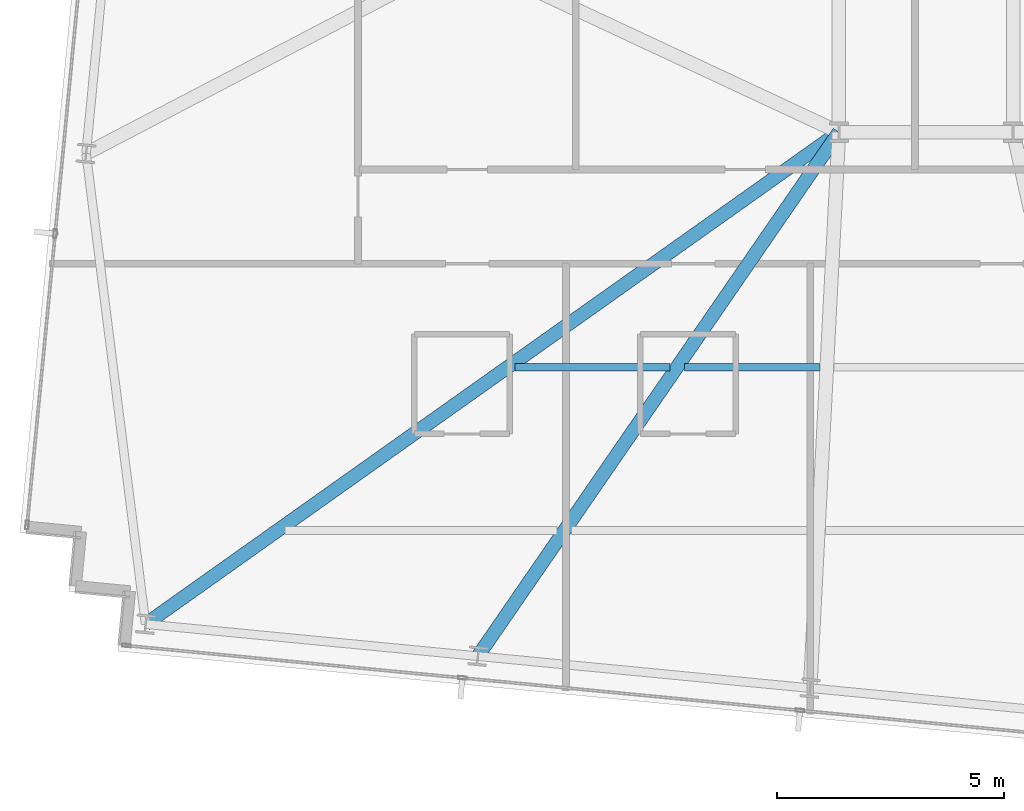
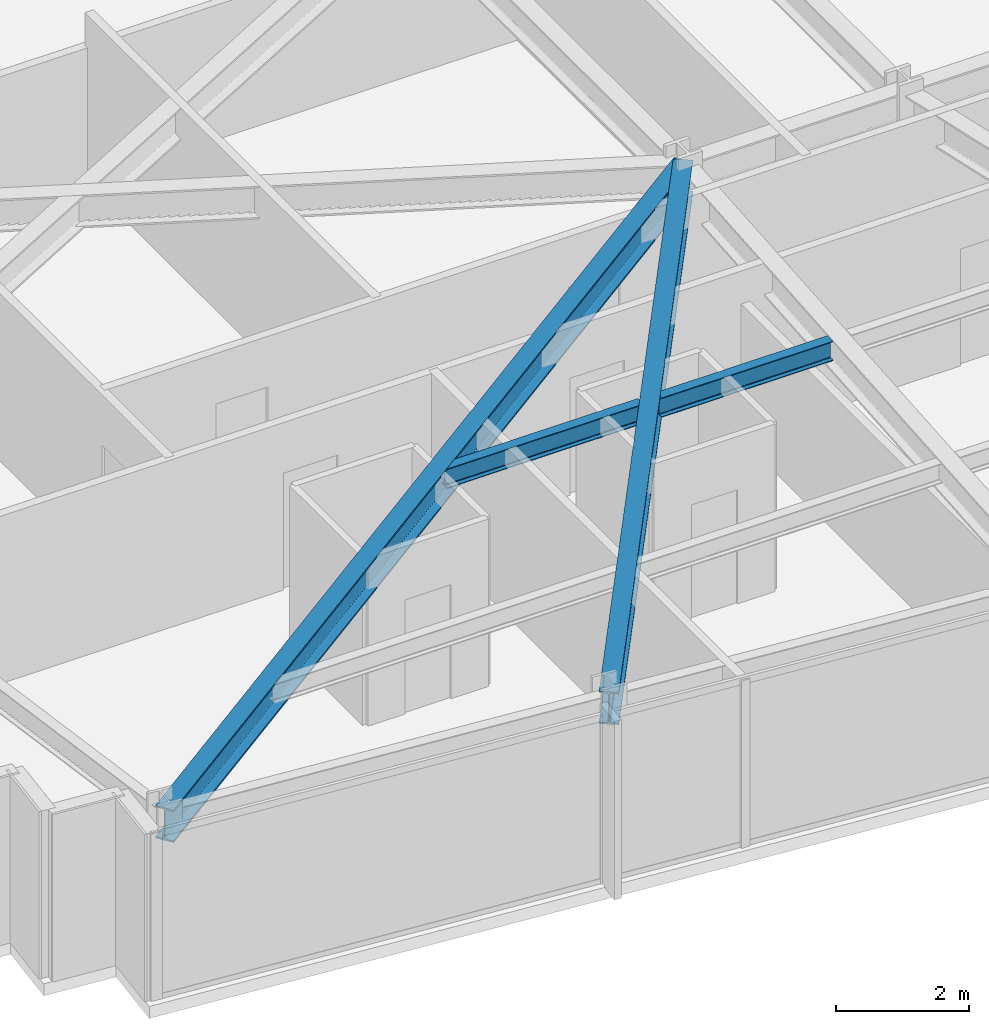
# One storey, part 5 of 37: 4 beams.
"""IFC4 building model written with IfcOpenShell, lengths in metres."""

import ifcopenshell
import ifcopenshell.guid

model = None  # the IFC model being written
_history = None  # IfcOwnerHistory: only IFC2X3 demands one
_inside = {}  # id of a spatial element -> (the spatial element, [elements in it])
_under = {}  # id of a project, library or spatial element -> (it, [spatial elements below it])
_declared = {}  # id of a project -> (the project, [libraries it declares])
_typed = {}  # id of a type object -> (the type object, [elements of that type])
_made_of = {}  # id of a material, layer set ... -> (it, [elements and type objects made of it])


def new_model(schema):
    """Start an empty IFC model of exactly this schema.

    Asked for "IFC4X3", IfcOpenShell would pick the latest addendum, in which some entities
    have other attributes; the version numbers below select the first issue.
    IFC2X3 requires an IfcOwnerHistory on every rooted entity: one is made here for all.
    """
    global model, _history
    if schema == "IFC4X3":
        model = ifcopenshell.file(schema_version=(4, 3, 0, 0))
    else:
        model = ifcopenshell.file(schema=schema)
    _inside.clear()
    _under.clear()
    _declared.clear()
    _typed.clear()
    _made_of.clear()
    _history = None
    if model.schema == "IFC2X3":
        org = make("IfcOrganization", Name="unknown")
        user = make(
            "IfcPersonAndOrganization",
            ThePerson=make("IfcPerson", FamilyName="unknown"),
            TheOrganization=org,
        )
        app = make(
            "IfcApplication",
            ApplicationDeveloper=org,
            Version="unknown",
            ApplicationFullName="unknown",
            ApplicationIdentifier="unknown",
        )
        _history = make(
            "IfcOwnerHistory",
            OwningUser=user,
            OwningApplication=app,
            ChangeAction="ADDED",
            CreationDate=0,
        )
    return model


def make(cls, **values):
    """One entity of the class cls with the attributes given. An attribute that is None is left unset."""
    return model.create_entity(
        cls, **{name: value for name, value in values.items() if value is not None}
    )


def rooted(cls, **values):
    """An entity with a GlobalId (a new one), such as an element, a storey or a relation."""
    return make(cls, GlobalId=ifcopenshell.guid.new(), OwnerHistory=_history, **values)


def si_unit(unit_type, name, prefix=None):
    """IfcSIUnit, for example si_unit("LENGTHUNIT", "METRE", prefix="MILLI")."""
    return make("IfcSIUnit", UnitType=unit_type, Prefix=prefix, Name=name)


def assignment(units):
    """IfcUnitAssignment: the units of a project."""
    return None if units is None else make("IfcUnitAssignment", Units=units)


def point(xyz):
    """IfcCartesianPoint."""
    return None if xyz is None else make("IfcCartesianPoint", Coordinates=xyz)


def direction(xyz):
    """IfcDirection."""
    return None if xyz is None else make("IfcDirection", DirectionRatios=xyz)


def frame(location, z_axis=None, x_axis=None):
    """IfcAxis2Placement3D, a coordinate frame: its origin and axes. An axis left out is left unset."""
    return make(
        "IfcAxis2Placement3D",
        Location=point(location),
        Axis=direction(z_axis),
        RefDirection=direction(x_axis),
    )


def frame_2d(location, x_axis=None):
    """IfcAxis2Placement2D, a coordinate frame in the plane: its origin and x axis."""
    return make(
        "IfcAxis2Placement2D", Location=point(location), RefDirection=direction(x_axis)
    )


def origin():
    """The frame at (0, 0, 0) with its axes left unset."""
    return frame((0.0, 0.0, 0.0))


def origin_2d():
    """The frame at (0, 0) in the plane with its x axis left unset."""
    return frame_2d((0.0, 0.0))


def place(relative_to, where):
    """IfcLocalPlacement: puts the frame where relative to a parent placement (None: the world)."""
    return make(
        "IfcLocalPlacement", PlacementRelTo=relative_to, RelativePlacement=where
    )


def context(
    kind, dimensions, precision=None, world=None, true_north=None, identifier=None
):
    """IfcGeometricRepresentationContext, for example the 3D "Model" context."""
    return make(
        "IfcGeometricRepresentationContext",
        ContextIdentifier=identifier,
        ContextType=kind,
        CoordinateSpaceDimension=dimensions,
        Precision=precision,
        WorldCoordinateSystem=world,
        TrueNorth=true_north,
    )


def subcontext(parent, identifier, kind, view, scale=None):
    """IfcGeometricRepresentationSubContext, for example "Body" below "Model"."""
    return make(
        "IfcGeometricRepresentationSubContext",
        ContextIdentifier=identifier,
        ContextType=kind,
        ParentContext=parent,
        TargetScale=scale,
        TargetView=view,
    )


def project(units=None, contexts=None):
    """IfcProject with its units and contexts."""
    return rooted(
        "IfcProject",
        Name="project",
        RepresentationContexts=contexts,
        UnitsInContext=assignment(units),
    )


def spatial(cls, under=None, at=None, **own):
    """A site, building, storey or space (cls), placed at a placement, below another one or the project."""
    s = rooted(cls, ObjectPlacement=at, **own)
    if under is not None:
        _under.setdefault(under.id(), (under, []))[1].append(s)
    return s


def profile(cls, at=None, kind="AREA", **sizes):
    """A parametric profile (cls). Its sizes go by their IFC names, for example OverallWidth=200.0."""
    return make(cls, ProfileType=kind, Position=at, **sizes)


def i_section(**sizes):
    """IfcIShapeProfileDef."""
    return profile("IfcIShapeProfileDef", **sizes)


def extrude(swept, where, along, depth):
    """IfcExtrudedAreaSolid: the profile swept, set in the frame where, extruded along a direction by depth."""
    return make(
        "IfcExtrudedAreaSolid",
        SweptArea=swept,
        Position=where,
        ExtrudedDirection=direction(along),
        Depth=depth,
    )


def shape(context_of_items, identifier, shape_type, items):
    """IfcShapeRepresentation: the items that make up one representation, for example the "Body"."""
    return make(
        "IfcShapeRepresentation",
        ContextOfItems=context_of_items,
        RepresentationIdentifier=identifier,
        RepresentationType=shape_type,
        Items=items,
    )


def material(Name=None, Category=None):
    """IfcMaterial."""
    return make("IfcMaterial", Name=Name, Category=Category)


def material_profile(
    of_material, cross_section, Name=None, Category=None, Priority=None
):
    """IfcMaterialProfile: a cross section and its material."""
    return make(
        "IfcMaterialProfile",
        Name=Name,
        Material=of_material,
        Profile=cross_section,
        Priority=Priority,
        Category=Category,
    )


def profile_set(profiles, Name=None, composite=None):
    """IfcMaterialProfileSet."""
    return make(
        "IfcMaterialProfileSet",
        Name=Name,
        MaterialProfiles=profiles,
        CompositeProfile=composite,
    )


def made_of(thing, what):
    """Note that an element or type object is made of a material, layer set ...; save() writes the relation."""
    if what is not None:
        _made_of.setdefault(what.id(), (what, []))[1].append(thing)
    return thing


def type_object(cls, material=None, **own):
    """A type object (cls), such as IfcWallType, which elements share."""
    return made_of(rooted(cls, **own), material)


def element(
    cls,
    number,
    at=None,
    inside=None,
    cuts=None,
    type_object=None,
    material=None,
    context=None,
    identifier="Body",
    shape_type=None,
    held_by="IfcProductDefinitionShape",
    body=None,
    shapes=None,
    **own,
):
    """One element of the class cls, such as IfcWall. Its Tag is "e" and its number.

    at: its placement. inside: the storey or other place that contains it. cuts: it is an
    opening in that element (IfcRelVoidsElement). A single representation is given by context,
    identifier, shape_type and body (its items); several are given by shapes. held_by: the class
    of the entity that holds the representations. save() writes the other relations.
    """
    e = rooted(cls, Tag="e%d" % number, ObjectPlacement=at, **own)
    if body is not None:
        shapes = [shape(context, identifier, shape_type, body)]
    if shapes is not None:
        e.Representation = make(held_by, Representations=shapes)
    if inside is not None:
        _inside.setdefault(inside.id(), (inside, []))[1].append(e)
    if cuts is not None:
        rooted(
            "IfcRelVoidsElement", RelatingBuildingElement=cuts, RelatedOpeningElement=e
        )
    if type_object is not None:
        _typed.setdefault(type_object.id(), (type_object, []))[1].append(e)
    return made_of(e, material)


def aggregate(whole, parts):
    """IfcRelAggregates: a whole, such as a stair, and the parts it consists of."""
    return rooted("IfcRelAggregates", RelatingObject=whole, RelatedObjects=parts)


def save(model, path):
    """Write the relations noted so far, then the file.

    IfcRelAggregates (storeys below a building ...), IfcRelContainedInSpatialStructure (elements
    in a storey), IfcRelDefinesByType, IfcRelAssociatesMaterial and IfcRelDeclares: one each for
    every whole, place, type object, material and project.
    """
    for whole, parts in _under.values():
        aggregate(whole, parts)
    for where, things in _inside.values():
        rooted(
            "IfcRelContainedInSpatialStructure",
            RelatedElements=things,
            RelatingStructure=where,
        )
    for kind, things in _typed.values():
        rooted("IfcRelDefinesByType", RelatedObjects=things, RelatingType=kind)
    for what, things in _made_of.values():
        rooted("IfcRelAssociatesMaterial", RelatedObjects=things, RelatingMaterial=what)
    for by, libraries in _declared.values():
        rooted("IfcRelDeclares", RelatingContext=by, RelatedDefinitions=libraries)
    model.write(path)


model = new_model("IFC4")

# Units and contexts
model_context = context("Model", 3, precision=1e-05, world=origin(), true_north=direction((0.0, 1.0)))
body_context = subcontext(model_context, "Body", "Model", "MODEL_VIEW")
ifc_project = project(units=[si_unit("LENGTHUNIT", "METRE"), si_unit("AREAUNIT", "SQUARE_METRE"), si_unit("VOLUMEUNIT", "CUBIC_METRE"), si_unit("PLANEANGLEUNIT", "RADIAN"), si_unit("MASSUNIT", "GRAM", prefix="KILO")], contexts=[model_context])

# Site, building, storey
site_placement = place(None, origin())
site = spatial("IfcSite", under=ifc_project, at=site_placement, CompositionType="ELEMENT")
building_placement = place(site_placement, origin())
building = spatial("IfcBuilding", under=site, at=building_placement, Name="Yelkora Congress Tower", CompositionType="ELEMENT")
storey_placement = place(building_placement, frame((0.0, 0.0, 165.5)))
storey = spatial("IfcBuildingStorey", under=building, at=storey_placement, Name="L45", CompositionType="ELEMENT", Elevation=165.5)

# Beams
ifc_material = material(Name="Steel S355J2", Category="steel")
ifc_material_profile_1 = material_profile(ifc_material, i_section(OverallWidth=0.300048828125, OverallDepth=0.60009765625, WebThickness=0.015380859375, FlangeThickness=0.030029296875, FilletRadius=0.027099609375, at=origin_2d()), Name="HEB 600")
ifc_profile_set_1 = profile_set([ifc_material_profile_1], Name="Steel S355J2")
beam_type_1 = type_object("IfcBeamType", Name="BM-GIRD-HEB600", PredefinedType="BEAM", material=ifc_profile_set_1)
beam_1_placement = place(storey_placement, frame((3.919189453125, 14.357421875, 2.780029296875), z_axis=(0.815554555366, 0.578680194254, 0.0), x_axis=(-0.578680194254, 0.815554555366, 0.0)))
element("IfcBeam", 1, at=beam_1_placement, inside=storey, type_object=beam_type_1, Name="L45 Primary Frame Girder S01", PredefinedType="BEAM", context=body_context, shape_type="SweptSolid", body=[
    extrude(i_section(OverallWidth=0.300048828125, OverallDepth=0.60009765625, WebThickness=0.015380859375, FlangeThickness=0.030029296875, FilletRadius=0.027099609375, at=origin_2d()), origin(), (0.0, 0.0, 1.0), 18.736572265625),
])
beam_2_placement = place(storey_placement, frame((11.242431640625, 13.652099609375, 2.780029296875), z_axis=(0.567418043278, 0.823429878109, 0.0), x_axis=(-0.823429878109, 0.567418043278, 0.0)))
element("IfcBeam", 2, at=beam_2_placement, inside=storey, type_object=beam_type_1, Name="L45 Primary Frame Girder S02", PredefinedType="BEAM", context=body_context, shape_type="SweptSolid", body=[
    extrude(i_section(OverallWidth=0.300048828125, OverallDepth=0.60009765625, WebThickness=0.015380859375, FlangeThickness=0.030029296875, FilletRadius=0.027099609375, at=origin_2d()), origin(), (0.0, 0.0, 1.0), 14.024169921875),
])
ifc_material_profile_2 = material_profile(ifc_material, i_section(OverallWidth=0.169921875, OverallDepth=0.360107421875, WebThickness=0.008056640625, FlangeThickness=0.0126953125, FilletRadius=0.01806640625, at=origin_2d()), Name="IPE 360")
ifc_profile_set_2 = profile_set([ifc_material_profile_2], Name="Steel S355J2")
beam_type_2 = type_object("IfcBeamType", Name="BM-JOIST-IPE360", PredefinedType="JOIST", material=ifc_profile_set_2)
beam_3_placement = place(storey_placement, frame((12.061279296875, 20.021240234375, 2.89990234375), z_axis=(1.0, 0.0, 0.0), x_axis=(0.0, 1.0, 0.0)))
element("IfcBeam", 3, at=beam_3_placement, inside=storey, type_object=beam_type_2, Name="L45 Composite Floor Joist 12", PredefinedType="JOIST", context=body_context, shape_type="SweptSolid", body=[
    extrude(i_section(OverallWidth=0.169921875, OverallDepth=0.360107421875, WebThickness=0.008056640625, FlangeThickness=0.0126953125, FilletRadius=0.01806640625, at=origin_2d()), origin(), (0.0, 0.0, 1.0), 3.409912109375),
])
beam_4_placement = place(storey_placement, frame((15.791259765625, 20.021240234375, 2.89990234375), z_axis=(1.0, 0.0, 0.0), x_axis=(0.0, 1.0, 0.0)))
element("IfcBeam", 4, at=beam_4_placement, inside=storey, type_object=beam_type_2, Name="L45 Composite Floor Joist 13", PredefinedType="JOIST", context=body_context, shape_type="SweptSolid", body=[
    extrude(i_section(OverallWidth=0.169921875, OverallDepth=0.360107421875, WebThickness=0.008056640625, FlangeThickness=0.0126953125, FilletRadius=0.01806640625, at=origin_2d()), origin(), (0.0, 0.0, 1.0), 2.980712890625),
])

save(model, "model.ifc")
